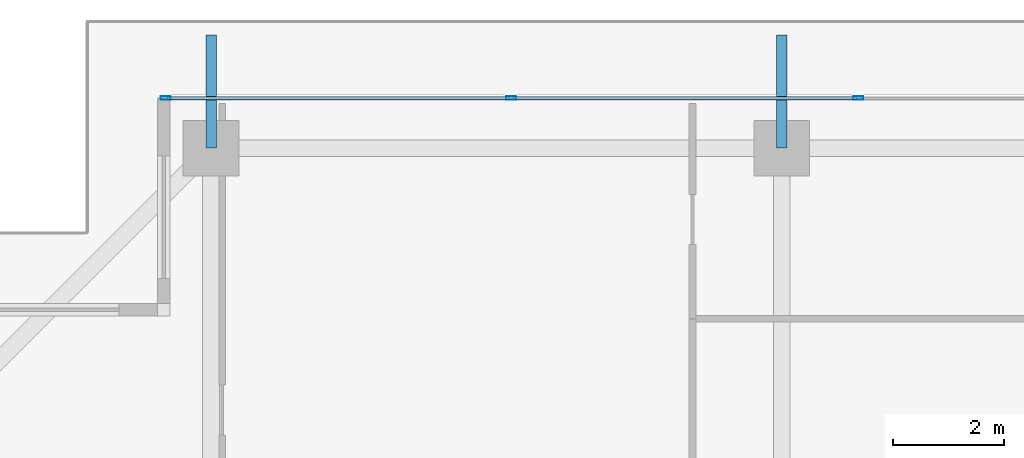
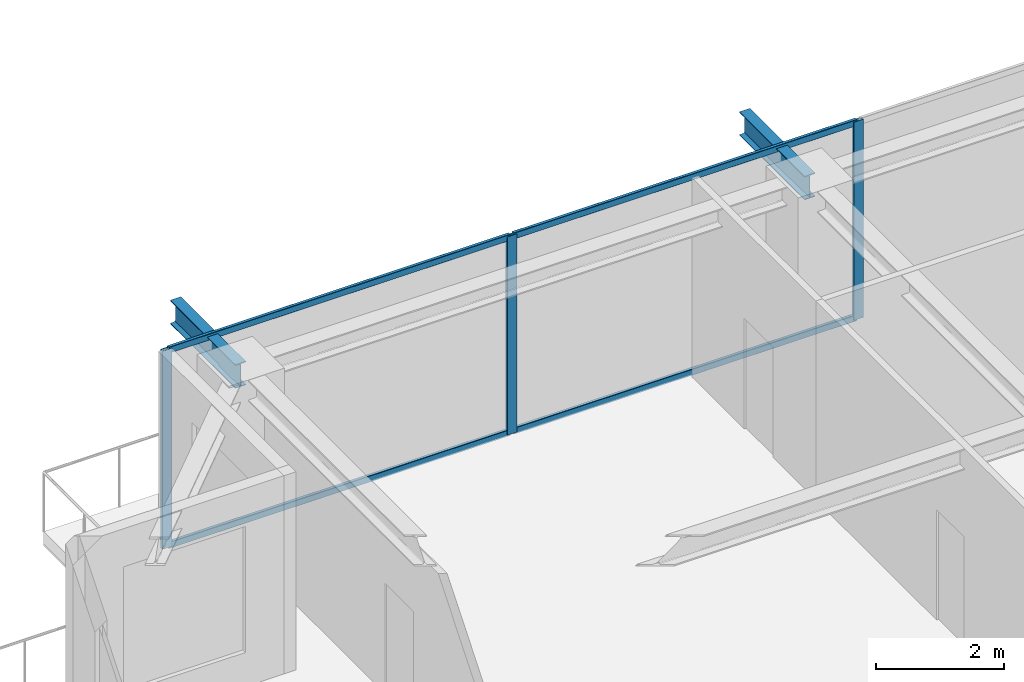
# One storey, part 22 of 41: 7 members, 2 beams, 1 element without a shape of its own.
"""IFC4 building model written with IfcOpenShell, lengths in metres."""

from ifc_helpers import new_model, si_unit, direction, frame, origin, origin_2d, place, context, subcontext, project, spatial, hollow_rectangle, i_section, extrude, source, transform, mapped, material, layer, layer_set, material_profile, profile_set, type_object, element, aggregate, save


model = new_model("IFC4")

# Units and contexts
model_context = context("Model", 3, precision=1e-05, world=origin(), true_north=direction((0.0, 1.0)))
body_context = subcontext(model_context, "Body", "Model", "MODEL_VIEW")
ifc_project = project(units=[si_unit("LENGTHUNIT", "METRE"), si_unit("AREAUNIT", "SQUARE_METRE"), si_unit("VOLUMEUNIT", "CUBIC_METRE"), si_unit("PLANEANGLEUNIT", "RADIAN"), si_unit("MASSUNIT", "GRAM", prefix="KILO")], contexts=[model_context])

# Site, building, storey
site_placement = place(None, origin())
site = spatial("IfcSite", under=ifc_project, at=site_placement, CompositionType="ELEMENT")
building_placement = place(site_placement, origin())
building = spatial("IfcBuilding", under=site, at=building_placement, Name="Serunith Strait Residences", CompositionType="ELEMENT")
storey_placement = place(building_placement, frame((0.0, 0.0, 301.550048828125)))
storey = spatial("IfcBuildingStorey", under=building, at=storey_placement, Name="L75", CompositionType="ELEMENT", Elevation=301.550048828125)

# Beams
ifc_material_1 = material(Name="Steel S355J2", Category="steel")
ifc_material_profile_1 = material_profile(ifc_material_1, i_section(OverallWidth=0.18994140625, OverallDepth=0.449951171875, WebThickness=0.009521484375, FlangeThickness=0.0146484375, FilletRadius=0.02099609375, at=origin_2d()), Name="IPE 450")
ifc_profile_set_1 = profile_set([ifc_material_profile_1], Name="Steel S355J2")
beam_type = type_object("IfcBeamType", Name="BM-IPE450", PredefinedType="JOIST", material=ifc_profile_set_1)
shared_shape_1 = source(origin(), body_context, "Body", "SweptSolid", [
    extrude(i_section(OverallWidth=0.18994140625, OverallDepth=0.449951171875, WebThickness=0.009521484375, FlangeThickness=0.0146484375, FilletRadius=0.02099609375, at=origin_2d()), origin(), (0.0, 0.0, 1.0), 2.02978515625),
])
for number, where, z_axis, x_axis, name in (
    (1, (17.64990234375, 47.10009765625, 3.531982421875), (0.0, 1.0, 0.0), (-1.0, 0.0, 0.0), "L76 Cantilevered Balcony Rib TC-N1"),
    (2, (27.89990234375, 47.10009765625, 3.531982421875), (0.0, 1.0, 0.0), (-1.0, 0.0, 0.0), "L76 Cantilevered Balcony Rib TC-N2"),
):
    element("IfcBeam", number, at=place(storey_placement, frame(where, z_axis=z_axis, x_axis=x_axis)), inside=storey, type_object=beam_type, Name=name, PredefinedType="JOIST", context=body_context, shape_type="MappedRepresentation", body=[
        mapped(shared_shape_1, transform((0.0, 0.0, 0.0), scale=1.0)),
    ])

# Curtain wall, members
ifc_material_2 = material(Name="Brushed Stainless-Silver Aluminium", Category="aluminium")
ifc_layer = layer(ifc_material_2, 0.199951171875, Name="Brushed Stainless-Silver Aluminium")
ifc_layer_set = layer_set([ifc_layer], Name="Brushed Stainless-Silver Aluminium")
curtain_wall_type = type_object("IfcCurtainWallType", Name="CW-SYS5", PredefinedType="NOTDEFINED", material=ifc_layer_set)
curtain_wall_placement = place(storey_placement, origin())
curtain_wall = element("IfcCurtainWall", 3, at=curtain_wall_placement, inside=storey, type_object=curtain_wall_type, Name="L75 N Unitised Fritted Curtain Wall", PredefinedType="NOTDEFINED")
ifc_material_profile_2 = material_profile(ifc_material_2, hollow_rectangle(XDim=0.06005859375, YDim=0.1201171875, WallThickness=0.00341796875, InnerFilletRadius=0.00537109375, OuterFilletRadius=0.0087890625, at=origin_2d()), Name="ALU 120x60x3.5")
ifc_profile_set_2 = profile_set([ifc_material_profile_2], Name="Brushed Stainless-Silver Aluminium")
member_type_1 = type_object("IfcMemberType", Name="CW-SYS5-TRAN", PredefinedType="USERDEFINED", material=ifc_profile_set_2)
shared_shape_2 = source(origin(), body_context, "Body", "SweptSolid", [
    extrude(hollow_rectangle(XDim=0.06005859375, YDim=0.1201171875, WallThickness=0.00341796875, InnerFilletRadius=0.00537109375, OuterFilletRadius=0.0087890625, at=origin_2d()), origin(), (0.0, 0.0, 1.0), 6.142578125),
])
member_1_placement = place(storey_placement, frame((23.007568359375, 48.0, 0.030029296875), z_axis=(-1.0, 0.0, 0.0), x_axis=(0.0, -1.0, 0.0)))
member_1 = element("IfcMember", 4, at=member_1_placement, type_object=member_type_1, Name="CW-5 transom 5.1", ObjectType="TRANSOM", PredefinedType="USERDEFINED", context=body_context, shape_type="MappedRepresentation", body=[
    mapped(shared_shape_2, transform((0.0, 0.0, 0.0), scale=1.0)),
])
member_2_placement = place(storey_placement, frame((23.007568359375, 48.0, 3.744873046875), z_axis=(-1.0, 0.0, 0.0), x_axis=(0.0, -1.0, 0.0)))
member_2 = element("IfcMember", 5, at=member_2_placement, type_object=member_type_1, Name="CW-5 transom 5.2", ObjectType="TRANSOM", PredefinedType="USERDEFINED", context=body_context, shape_type="MappedRepresentation", body=[
    mapped(shared_shape_2, transform((0.0, 0.0, 0.0), scale=1.0)),
])
shared_shape_3 = source(origin(), body_context, "Body", "SweptSolid", [
    extrude(hollow_rectangle(XDim=0.06005859375, YDim=0.1201171875, WallThickness=0.00341796875, InnerFilletRadius=0.00537109375, OuterFilletRadius=0.0087890625, at=origin_2d()), origin(), (0.0, 0.0, 1.0), 6.175048828125),
])
member_3_placement = place(storey_placement, frame((29.24755859375, 48.0, 0.030029296875), z_axis=(-1.0, 0.0, 0.0), x_axis=(0.0, -1.0, 0.0)))
member_3 = element("IfcMember", 6, at=member_3_placement, type_object=member_type_1, Name="CW-5 transom 4.1", ObjectType="TRANSOM", PredefinedType="USERDEFINED", context=body_context, shape_type="MappedRepresentation", body=[
    mapped(shared_shape_3, transform((0.0, 0.0, 0.0), scale=1.0)),
])
member_4_placement = place(storey_placement, frame((29.24755859375, 48.0, 3.744873046875), z_axis=(-1.0, 0.0, 0.0), x_axis=(0.0, -1.0, 0.0)))
member_4 = element("IfcMember", 7, at=member_4_placement, type_object=member_type_1, Name="CW-5 transom 4.2", ObjectType="TRANSOM", PredefinedType="USERDEFINED", context=body_context, shape_type="MappedRepresentation", body=[
    mapped(shared_shape_3, transform((0.0, 0.0, 0.0), scale=1.0)),
])
ifc_material_profile_3 = material_profile(ifc_material_2, hollow_rectangle(XDim=0.06494140625, YDim=0.179931640625, WallThickness=0.00341796875, InnerFilletRadius=0.00537109375, OuterFilletRadius=0.0087890625, at=origin_2d()), Name="ALU 180x65x3.5")
ifc_profile_set_3 = profile_set([ifc_material_profile_3], Name="Brushed Stainless-Silver Aluminium")
member_type_2 = type_object("IfcMemberType", Name="CW-SYS5-MULL", PredefinedType="MULLION", material=ifc_profile_set_3)
shared_shape_4 = source(origin(), body_context, "Body", "SweptSolid", [
    extrude(hollow_rectangle(XDim=0.06494140625, YDim=0.179931640625, WallThickness=0.00341796875, InnerFilletRadius=0.00537109375, OuterFilletRadius=0.0087890625, at=origin_2d()), origin(), (0.0, 0.0, 1.0), 3.77490234375),
])
member_5_placement = place(storey_placement, frame((29.280029296875, 48.0, 0.0), z_axis=(0.0, 0.0, 1.0), x_axis=(0.0, -1.0, 0.0)))
member_5 = element("IfcMember", 8, at=member_5_placement, type_object=member_type_2, Name="CW-5 mullion 4", PredefinedType="MULLION", context=body_context, shape_type="MappedRepresentation", body=[
    mapped(shared_shape_4, transform((0.0, 0.0, 0.0), scale=1.0)),
])
member_6_placement = place(storey_placement, frame((23.0400390625, 48.0, 0.0), z_axis=(0.0, 0.0, 1.0), x_axis=(0.0, -1.0, 0.0)))
member_6 = element("IfcMember", 9, at=member_6_placement, type_object=member_type_2, Name="CW-5 mullion 5", PredefinedType="MULLION", context=body_context, shape_type="MappedRepresentation", body=[
    mapped(shared_shape_4, transform((0.0, 0.0, 0.0), scale=1.0)),
])
member_7_placement = place(storey_placement, frame((16.83251953125, 48.0, 0.0), z_axis=(0.0, 0.0, 1.0), x_axis=(0.0, -1.0, 0.0)))
member_7 = element("IfcMember", 10, at=member_7_placement, type_object=member_type_2, Name="CW-5 mullion 6", PredefinedType="MULLION", context=body_context, shape_type="MappedRepresentation", body=[
    mapped(shared_shape_4, transform((0.0, 0.0, 0.0), scale=1.0)),
])
aggregate(curtain_wall, [member_5, member_6, member_7, member_3, member_4, member_1, member_2])

save(model, "model.ifc")
